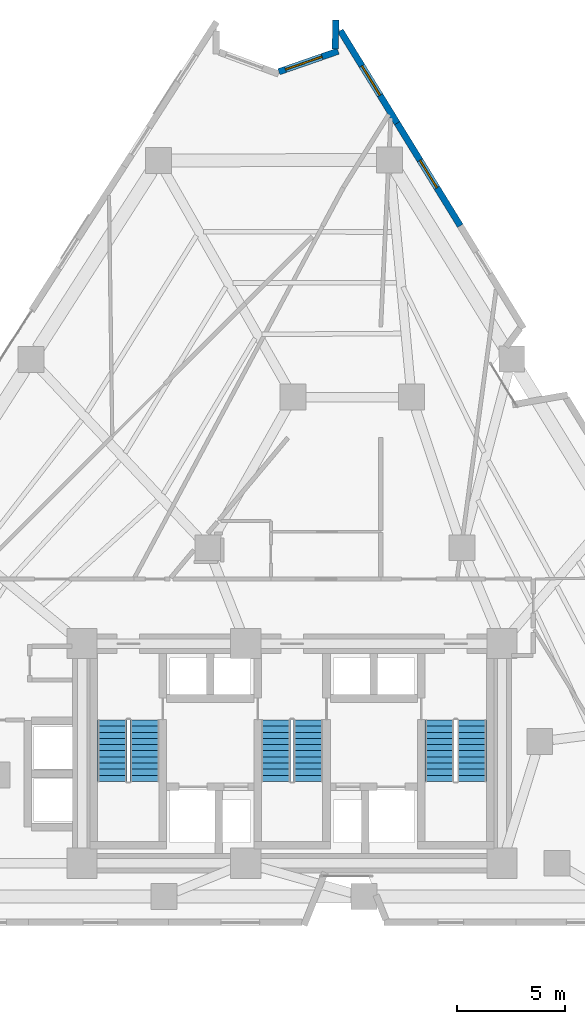
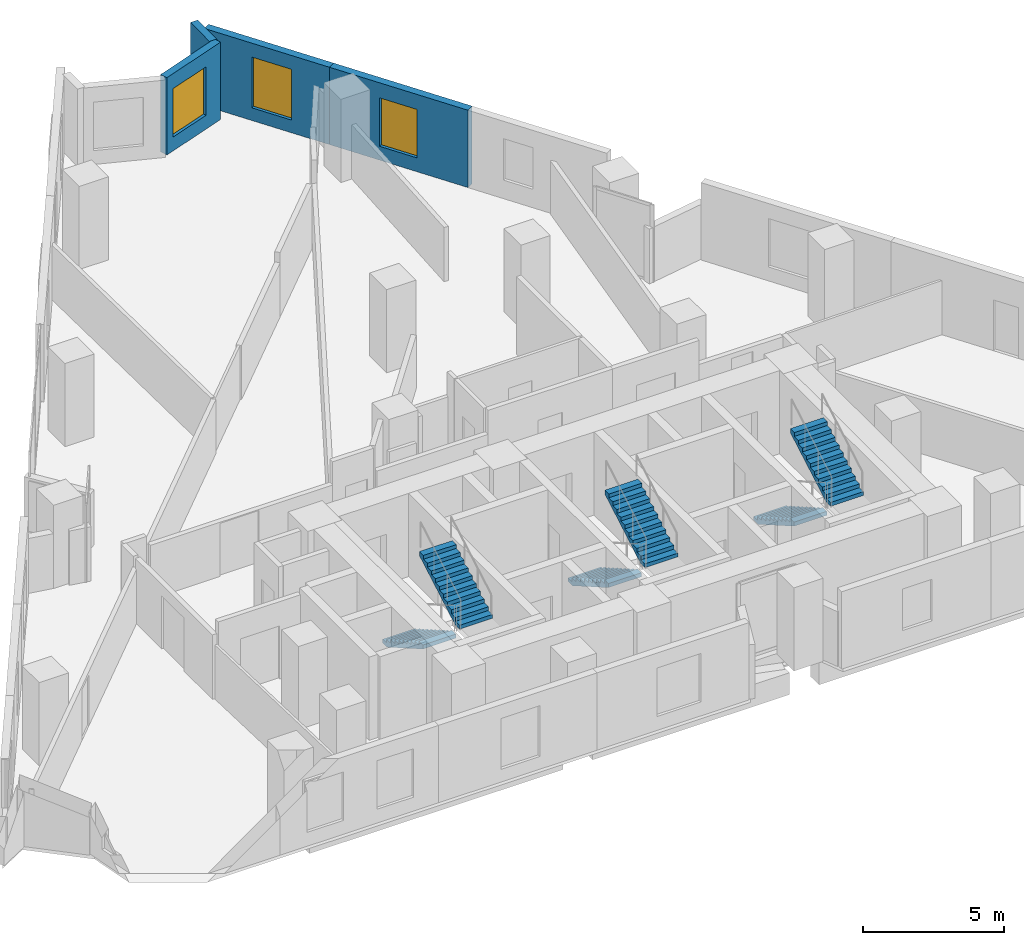
# One storey, part 9 of 12: 6 stair flights, 4 walls, 3 windows, 3 openings, 3 elements without a shape of their own.
"""IFC4 building model written with IfcOpenShell, lengths in metres."""

from ifc_helpers import new_model, si_unit, direction, frame, frame_2d, origin, place, context, subcontext, project, spatial, polyline, rectangle, outline, extrude, material, layer, layer_set, type_object, element, fill, aggregate, save


model = new_model("IFC4")

# Units and contexts
model_context = context("Model", 3, precision=1e-05, world=origin(), true_north=direction((0.0, 1.0)))
body_context = subcontext(model_context, "Body", "Model", "MODEL_VIEW")
ifc_project = project(units=[si_unit("LENGTHUNIT", "METRE"), si_unit("AREAUNIT", "SQUARE_METRE"), si_unit("VOLUMEUNIT", "CUBIC_METRE"), si_unit("PLANEANGLEUNIT", "RADIAN"), si_unit("MASSUNIT", "GRAM", prefix="KILO")], contexts=[model_context])

# Site, building, storey
site_placement = place(None, origin())
site = spatial("IfcSite", under=ifc_project, at=site_placement, CompositionType="ELEMENT")
building_placement = place(site_placement, origin())
building = spatial("IfcBuilding", under=site, at=building_placement, Name="Almagre Mirador Tower", CompositionType="ELEMENT")
storey_placement = place(building_placement, frame((0.0, 0.0, 93.0)))
storey = spatial("IfcBuildingStorey", under=building, at=storey_placement, Name="L23", CompositionType="ELEMENT", Elevation=93.0)

# Wall, opening, window
ifc_material_1 = material(Name="Precast concrete C50/60", Category="concrete")
ifc_layer = layer(ifc_material_1, 0.300048828125)
ifc_layer_set = layer_set([ifc_layer], Name="Precast concrete C50/60")
wall_type = type_object("IfcWallType", Name="WAL-EXT-300", PredefinedType="SOLIDWALL", material=ifc_layer_set)
wall_1_placement = place(storey_placement, frame((36.688232421875, 41.30859375, 0.0), z_axis=(0.0, 0.0, 1.0), x_axis=(0.944571305793, 0.328306332978, 0.0)))
wall_1 = element("IfcWall", 1, at=wall_1_placement, inside=storey, type_object=wall_type, Name="L23 expressed almagre precast frame wall 08", PredefinedType="SOLIDWALL", context=body_context, shape_type="SweptSolid", body=[
    extrude(rectangle(XDim=2.91650390625, YDim=0.300048828125, at=frame_2d((1.458251953125, 0.0))), origin(), (0.0, 0.0, 1.0), 3.35009765625),
])
opening_1_placement = place(wall_1_placement, frame((0.324951171875, 0.0, 0.60009765625)))
opening_1 = element("IfcOpeningElement", 2, at=opening_1_placement, cuts=wall_1, Name="Opening WN-01", PredefinedType="OPENING", context=body_context, shape_type="SweptSolid", body=[
    extrude(rectangle(XDim=1.800048828125, YDim=2.10009765625, at=frame_2d((0.89990234375, 1.050048828125))), frame((0.0, 0.159902, 0.0), z_axis=(0.0, -1.0, 0.0), x_axis=(1.0, 0.0, 0.0)), (0.0, 0.0, 1.0), 0.320049),
])
ifc_material_2 = material(Name="Dark solar-control laminated hurricane glass", Category="glass")
window_type_1 = type_object("IfcWindowType", Name="WIN-1800X2100", PartitioningType="DOUBLE_PANEL_VERTICAL", PredefinedType="WINDOW", material=ifc_material_2)
window_1_placement = place(opening_1_placement, origin())
window_1 = element("IfcWindow", 3, at=window_1_placement, inside=storey, type_object=window_type_1, Name="L23 recessed hurricane window L23-UM-MB", OverallHeight=2.10009765625, OverallWidth=1.800048828125, PartitioningType="SINGLE_PANEL", PredefinedType="WINDOW", context=body_context, shape_type="SweptSolid", body=[
    extrude(rectangle(XDim=1.800048828125, YDim=2.10009765625, at=frame_2d((0.89990234375, 1.050048828125))), frame((0.0, 0.030029296875, 0.0), z_axis=(0.0, -1.0, 0.0), x_axis=(1.0, 0.0, 0.0)), (0.0, 0.0, 1.0), 0.06005859375),
])
fill(opening_1, window_1)

# Wall
wall_2_placement = place(storey_placement, frame((39.312255859375, 42.35498046875, 0.0), z_axis=(0.0, 0.0, 1.0), x_axis=(0.008828484753, 0.999961028169, 0.0)))
element("IfcWall", 4, at=wall_2_placement, inside=storey, type_object=wall_type, Name="L23 expressed almagre precast frame wall 09", PredefinedType="SOLIDWALL", context=body_context, shape_type="SweptSolid", body=[
    extrude(rectangle(XDim=1.35498046875, YDim=0.300048828125, at=frame_2d((0.677490234375, 0.0))), origin(), (0.0, 0.0, 1.0), 3.35009765625),
])

# Wall, opening, window
wall_3_placement = place(storey_placement, frame((39.540283203125, 43.216552734375, 0.0), z_axis=(0.0, 0.0, 1.0), x_axis=(0.52373802156, -0.851879383935, 0.0)))
wall_3 = element("IfcWall", 5, at=wall_3_placement, inside=storey, type_object=wall_type, Name="L23 expressed almagre precast frame wall 10", PredefinedType="SOLIDWALL", context=body_context, shape_type="SweptSolid", body=[
    extrude(rectangle(XDim=5.04150390625, YDim=0.300048828125, at=frame_2d((2.520751953125, 0.0))), origin(), (0.0, 0.0, 1.0), 3.35009765625),
])
opening_2_placement = place(wall_3_placement, frame((1.919921875, 0.0, 0.550048828125)))
opening_2 = element("IfcOpeningElement", 6, at=opening_2_placement, cuts=wall_3, Name="Opening WN-06", PredefinedType="OPENING", context=body_context, shape_type="SweptSolid", body=[
    extrude(rectangle(XDim=1.60009765625, YDim=2.199951171875, at=frame_2d((0.800048828125, 1.10009765625))), frame((0.0, 0.159902, 0.0), z_axis=(0.0, -1.0, 0.0), x_axis=(1.0, 0.0, 0.0)), (0.0, 0.0, 1.0), 0.320049),
])
ifc_material_3 = material(Name="Dark solar-control laminated hurricane glass", Category="glass")
window_type_2 = type_object("IfcWindowType", Name="WIN-1600X2200", PartitioningType="DOUBLE_PANEL_VERTICAL", PredefinedType="WINDOW", material=ifc_material_3)
window_2_placement = place(opening_2_placement, origin())
window_2 = element("IfcWindow", 7, at=window_2_placement, inside=storey, type_object=window_type_2, Name="L23 recessed hurricane window L23-UM-MB", OverallHeight=2.199951171875, OverallWidth=1.60009765625, PartitioningType="SINGLE_PANEL", PredefinedType="WINDOW", context=body_context, shape_type="SweptSolid", body=[
    extrude(rectangle(XDim=1.60009765625, YDim=2.199951171875, at=frame_2d((0.800048828125, 1.10009765625))), frame((0.0, 0.030029296875, 0.0), z_axis=(0.0, -1.0, 0.0), x_axis=(1.0, 0.0, 0.0)), (0.0, 0.0, 1.0), 0.06005859375),
])
fill(opening_2, window_2)

wall_4_placement = place(storey_placement, frame((42.1806640625, 38.921875, 0.0), z_axis=(0.0, 0.0, 1.0), x_axis=(0.523678708762, -0.851915846777, 0.0)))
wall_4 = element("IfcWall", 8, at=wall_4_placement, inside=storey, type_object=wall_type, Name="L23 expressed almagre precast frame wall 11", PredefinedType="SOLIDWALL", context=body_context, shape_type="SweptSolid", body=[
    extrude(rectangle(XDim=5.59619140625, YDim=0.300048828125, at=frame_2d((2.798095703125, 0.0))), origin(), (0.0, 0.0, 1.0), 3.35009765625),
])
opening_3_placement = place(wall_4_placement, frame((2.02490234375, 0.0, 0.60009765625)))
opening_3 = element("IfcOpeningElement", 9, at=opening_3_placement, cuts=wall_4, Name="Opening WN-03", PredefinedType="OPENING", context=body_context, shape_type="SweptSolid", body=[
    extrude(rectangle(XDim=1.5, YDim=2.10009765625, at=frame_2d((0.75, 1.050048828125))), frame((0.0, 0.159902, 0.0), z_axis=(0.0, -1.0, 0.0), x_axis=(1.0, 0.0, 0.0)), (0.0, 0.0, 1.0), 0.320049),
])
ifc_material_4 = material(Name="Dark solar-control laminated hurricane glass", Category="glass")
window_type_3 = type_object("IfcWindowType", Name="WIN-1500X2100", PartitioningType="DOUBLE_PANEL_VERTICAL", PredefinedType="WINDOW", material=ifc_material_4)
window_3_placement = place(opening_3_placement, origin())
window_3 = element("IfcWindow", 10, at=window_3_placement, inside=storey, type_object=window_type_3, Name="L23 recessed hurricane window L23-RST-L", OverallHeight=2.10009765625, OverallWidth=1.5, PartitioningType="SINGLE_PANEL", PredefinedType="WINDOW", context=body_context, shape_type="SweptSolid", body=[
    extrude(rectangle(XDim=1.5, YDim=2.10009765625, at=frame_2d((0.75, 1.050048828125))), frame((0.0, 0.030029296875, 0.0), z_axis=(0.0, -1.0, 0.0), x_axis=(1.0, 0.0, 0.0)), (0.0, 0.0, 1.0), 0.06005859375),
])
fill(opening_3, window_3)

# Stair, stair flights
ifc_material_5 = material(Name="Concrete C45/55", Category="concrete")
stair_type = type_object("IfcStairType", Name="STR-DL-3600", PredefinedType="HALF_TURN_STAIR", material=ifc_material_5)
stair_1_placement = place(storey_placement, origin())
stair_1 = element("IfcStair", 11, at=stair_1_placement, inside=storey, type_object=stair_type, Name="L23 Protected exit stair ST-1", PredefinedType="HALF_TURN_STAIR")
ifc_material_6 = material(Name="Concrete C45/55", Category="concrete")
stair_flight_type = type_object("IfcStairFlightType", Name="FLT-DL-3600", PredefinedType="STRAIGHT", material=ifc_material_6)
stair_flight_1_placement = place(storey_placement, frame((28.949951171875, 11.199951171875, 0.0), z_axis=(0.0, 0.0, 1.0), x_axis=(0.0, -1.0, 0.0)))
stair_flight_1 = element("IfcStairFlight", 12, at=stair_flight_1_placement, type_object=stair_flight_type, Name="ST-1 flight 1", NumberOfRisers=11, NumberOfTreads=10, PredefinedType="STRAIGHT", RiserHeight=0.163636364, TreadLength=0.285, context=body_context, shape_type="SweptSolid", body=[
    extrude(outline(polyline([(0.0, 0.0), (0.0, 0.16357421875), (0.284912109375, 0.16357421875), (0.284912109375, 0.327392578125), (0.570068359375, 0.327392578125), (0.570068359375, 0.490966796875), (0.85498046875, 0.490966796875), (0.85498046875, 0.654541015625), (1.139892578125, 0.654541015625), (1.139892578125, 0.818115234375), (1.425048828125, 0.818115234375), (1.425048828125, 0.98193359375), (1.7099609375, 0.98193359375), (1.7099609375, 1.1455078125), (1.9951171875, 1.1455078125), (1.9951171875, 1.30908203125), (2.280029296875, 1.30908203125), (2.280029296875, 1.47265625), (2.56494140625, 1.47265625), (2.56494140625, 1.636474609375), (2.85009765625, 1.636474609375), (2.85009765625, 1.800048828125), (2.85009765625, 1.463623046875), (0.301025390625, 0.0), (0.0, 0.0)])), frame((0.0, 0.675048828125, 0.0), z_axis=(0.0, -1.0, 0.0), x_axis=(1.0, 0.0, 0.0)), (0.0, 0.0, 1.0), 1.35009765625),
])
stair_flight_2_placement = place(storey_placement, frame((30.449951171875, 8.35009765625, 1.800048828125), z_axis=(0.0, 0.0, 1.0), x_axis=(0.0, 1.0, 0.0)))
stair_flight_2 = element("IfcStairFlight", 13, at=stair_flight_2_placement, type_object=stair_flight_type, Name="ST-1 flight 2", NumberOfRisers=11, NumberOfTreads=10, PredefinedType="STRAIGHT", RiserHeight=0.163636364, TreadLength=0.285, context=body_context, shape_type="SweptSolid", body=[
    extrude(outline(polyline([(0.0, 0.0), (0.0, 0.16357421875), (0.284912109375, 0.16357421875), (0.284912109375, 0.327392578125), (0.570068359375, 0.327392578125), (0.570068359375, 0.490966796875), (0.85498046875, 0.490966796875), (0.85498046875, 0.654541015625), (1.139892578125, 0.654541015625), (1.139892578125, 0.818115234375), (1.425048828125, 0.818115234375), (1.425048828125, 0.98193359375), (1.7099609375, 0.98193359375), (1.7099609375, 1.1455078125), (1.9951171875, 1.1455078125), (1.9951171875, 1.30908203125), (2.280029296875, 1.30908203125), (2.280029296875, 1.47265625), (2.56494140625, 1.47265625), (2.56494140625, 1.636474609375), (2.85009765625, 1.636474609375), (2.85009765625, 1.800048828125), (2.85009765625, 1.463623046875), (0.301025390625, 0.0), (0.0, 0.0)])), frame((0.0, 0.675048828125, 0.0), z_axis=(0.0, -1.0, 0.0), x_axis=(1.0, 0.0, 0.0)), (0.0, 0.0, 1.0), 1.35009765625),
])
aggregate(stair_1, [stair_flight_1, stair_flight_2])

stair_2_placement = place(storey_placement, origin())
stair_2 = element("IfcStair", 14, at=stair_2_placement, inside=storey, type_object=stair_type, Name="L23 Protected exit stair ST-2", PredefinedType="HALF_TURN_STAIR")
stair_flight_3_placement = place(storey_placement, frame((36.550048828125, 11.199951171875, 0.0), z_axis=(0.0, 0.0, 1.0), x_axis=(0.0, -1.0, 0.0)))
stair_flight_3 = element("IfcStairFlight", 15, at=stair_flight_3_placement, type_object=stair_flight_type, Name="ST-2 flight 1", NumberOfRisers=11, NumberOfTreads=10, PredefinedType="STRAIGHT", RiserHeight=0.163636364, TreadLength=0.285, context=body_context, shape_type="SweptSolid", body=[
    extrude(outline(polyline([(0.0, 0.0), (0.0, 0.16357421875), (0.284912109375, 0.16357421875), (0.284912109375, 0.327392578125), (0.570068359375, 0.327392578125), (0.570068359375, 0.490966796875), (0.85498046875, 0.490966796875), (0.85498046875, 0.654541015625), (1.139892578125, 0.654541015625), (1.139892578125, 0.818115234375), (1.425048828125, 0.818115234375), (1.425048828125, 0.98193359375), (1.7099609375, 0.98193359375), (1.7099609375, 1.1455078125), (1.9951171875, 1.1455078125), (1.9951171875, 1.30908203125), (2.280029296875, 1.30908203125), (2.280029296875, 1.47265625), (2.56494140625, 1.47265625), (2.56494140625, 1.636474609375), (2.85009765625, 1.636474609375), (2.85009765625, 1.800048828125), (2.85009765625, 1.463623046875), (0.301025390625, 0.0), (0.0, 0.0)])), frame((0.0, 0.675048828125, 0.0), z_axis=(0.0, -1.0, 0.0), x_axis=(1.0, 0.0, 0.0)), (0.0, 0.0, 1.0), 1.35009765625),
])
stair_flight_4_placement = place(storey_placement, frame((38.050048828125, 8.35009765625, 1.800048828125), z_axis=(0.0, 0.0, 1.0), x_axis=(0.0, 1.0, 0.0)))
stair_flight_4 = element("IfcStairFlight", 16, at=stair_flight_4_placement, type_object=stair_flight_type, Name="ST-2 flight 2", NumberOfRisers=11, NumberOfTreads=10, PredefinedType="STRAIGHT", RiserHeight=0.163636364, TreadLength=0.285, context=body_context, shape_type="SweptSolid", body=[
    extrude(outline(polyline([(0.0, 0.0), (0.0, 0.16357421875), (0.284912109375, 0.16357421875), (0.284912109375, 0.327392578125), (0.570068359375, 0.327392578125), (0.570068359375, 0.490966796875), (0.85498046875, 0.490966796875), (0.85498046875, 0.654541015625), (1.139892578125, 0.654541015625), (1.139892578125, 0.818115234375), (1.425048828125, 0.818115234375), (1.425048828125, 0.98193359375), (1.7099609375, 0.98193359375), (1.7099609375, 1.1455078125), (1.9951171875, 1.1455078125), (1.9951171875, 1.30908203125), (2.280029296875, 1.30908203125), (2.280029296875, 1.47265625), (2.56494140625, 1.47265625), (2.56494140625, 1.636474609375), (2.85009765625, 1.636474609375), (2.85009765625, 1.800048828125), (2.85009765625, 1.463623046875), (0.301025390625, 0.0), (0.0, 0.0)])), frame((0.0, 0.675048828125, 0.0), z_axis=(0.0, -1.0, 0.0), x_axis=(1.0, 0.0, 0.0)), (0.0, 0.0, 1.0), 1.35009765625),
])
aggregate(stair_2, [stair_flight_3, stair_flight_4])

stair_3_placement = place(storey_placement, origin())
stair_3 = element("IfcStair", 17, at=stair_3_placement, inside=storey, type_object=stair_type, Name="L23 Protected exit stair ST-3", PredefinedType="HALF_TURN_STAIR")
stair_flight_5_placement = place(storey_placement, frame((44.14990234375, 11.199951171875, 0.0), z_axis=(0.0, 0.0, 1.0), x_axis=(0.0, -1.0, 0.0)))
stair_flight_5 = element("IfcStairFlight", 18, at=stair_flight_5_placement, type_object=stair_flight_type, Name="ST-3 flight 1", NumberOfRisers=11, NumberOfTreads=10, PredefinedType="STRAIGHT", RiserHeight=0.163636364, TreadLength=0.285, context=body_context, shape_type="SweptSolid", body=[
    extrude(outline(polyline([(0.0, 0.0), (0.0, 0.16357421875), (0.284912109375, 0.16357421875), (0.284912109375, 0.327392578125), (0.570068359375, 0.327392578125), (0.570068359375, 0.490966796875), (0.85498046875, 0.490966796875), (0.85498046875, 0.654541015625), (1.139892578125, 0.654541015625), (1.139892578125, 0.818115234375), (1.425048828125, 0.818115234375), (1.425048828125, 0.98193359375), (1.7099609375, 0.98193359375), (1.7099609375, 1.1455078125), (1.9951171875, 1.1455078125), (1.9951171875, 1.30908203125), (2.280029296875, 1.30908203125), (2.280029296875, 1.47265625), (2.56494140625, 1.47265625), (2.56494140625, 1.636474609375), (2.85009765625, 1.636474609375), (2.85009765625, 1.800048828125), (2.85009765625, 1.463623046875), (0.301025390625, 0.0), (0.0, 0.0)])), frame((0.0, 0.675048828125, 0.0), z_axis=(0.0, -1.0, 0.0), x_axis=(1.0, 0.0, 0.0)), (0.0, 0.0, 1.0), 1.35009765625),
])
stair_flight_6_placement = place(storey_placement, frame((45.64990234375, 8.35009765625, 1.800048828125), z_axis=(0.0, 0.0, 1.0), x_axis=(0.0, 1.0, 0.0)))
stair_flight_6 = element("IfcStairFlight", 19, at=stair_flight_6_placement, type_object=stair_flight_type, Name="ST-3 flight 2", NumberOfRisers=11, NumberOfTreads=10, PredefinedType="STRAIGHT", RiserHeight=0.163636364, TreadLength=0.285, context=body_context, shape_type="SweptSolid", body=[
    extrude(outline(polyline([(0.0, 0.0), (0.0, 0.16357421875), (0.284912109375, 0.16357421875), (0.284912109375, 0.327392578125), (0.570068359375, 0.327392578125), (0.570068359375, 0.490966796875), (0.85498046875, 0.490966796875), (0.85498046875, 0.654541015625), (1.139892578125, 0.654541015625), (1.139892578125, 0.818115234375), (1.425048828125, 0.818115234375), (1.425048828125, 0.98193359375), (1.7099609375, 0.98193359375), (1.7099609375, 1.1455078125), (1.9951171875, 1.1455078125), (1.9951171875, 1.30908203125), (2.280029296875, 1.30908203125), (2.280029296875, 1.47265625), (2.56494140625, 1.47265625), (2.56494140625, 1.636474609375), (2.85009765625, 1.636474609375), (2.85009765625, 1.800048828125), (2.85009765625, 1.463623046875), (0.301025390625, 0.0), (0.0, 0.0)])), frame((0.0, 0.675048828125, 0.0), z_axis=(0.0, -1.0, 0.0), x_axis=(1.0, 0.0, 0.0)), (0.0, 0.0, 1.0), 1.35009765625),
])
aggregate(stair_3, [stair_flight_5, stair_flight_6])

save(model, "model.ifc")
